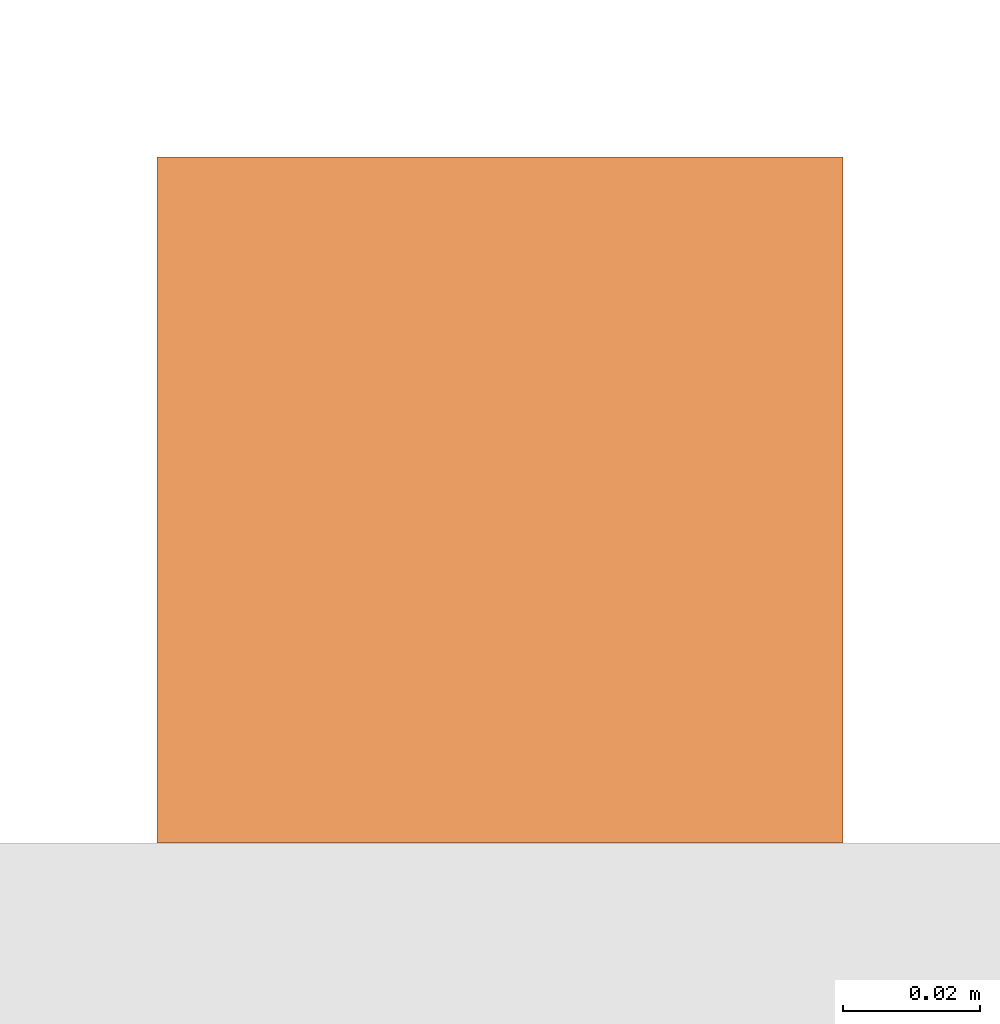
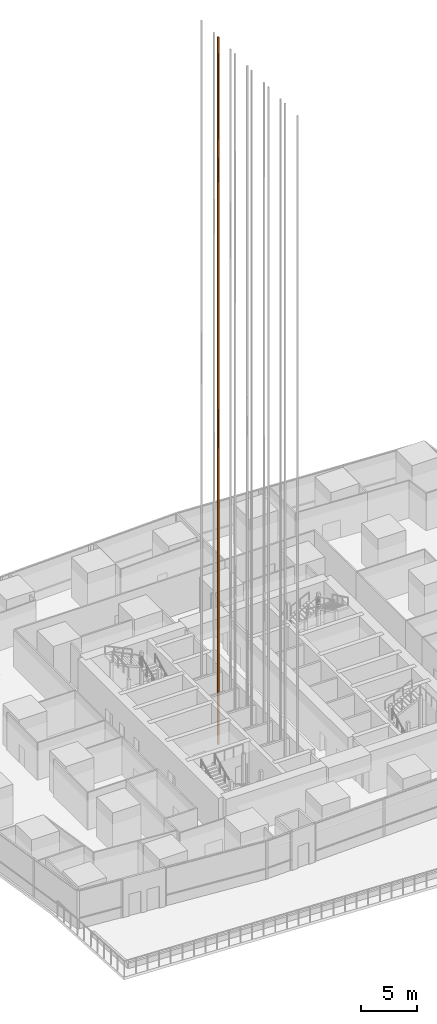
# One storey, part 42 of 44: 1 proxy.
"""IFC4 building model written with IfcOpenShell, lengths in metres."""

from ifc_helpers import new_model, si_unit, direction, frame, origin, origin_2d, place, context, subcontext, project, spatial, rectangle, extrude, material, type_object, element, save


model = new_model("IFC4")

# Units and contexts
model_context = context("Model", 3, precision=1e-05, world=origin(), true_north=direction((0.0, 1.0)))
body_context = subcontext(model_context, "Body", "Model", "MODEL_VIEW")
ifc_project = project(units=[si_unit("LENGTHUNIT", "METRE"), si_unit("AREAUNIT", "SQUARE_METRE"), si_unit("VOLUMEUNIT", "CUBIC_METRE"), si_unit("PLANEANGLEUNIT", "RADIAN"), si_unit("MASSUNIT", "GRAM", prefix="KILO")], contexts=[model_context])

# Site, building, storey
site_placement = place(None, origin())
site = spatial("IfcSite", under=ifc_project, at=site_placement, CompositionType="ELEMENT")
building_placement = place(site_placement, origin())
building = spatial("IfcBuilding", under=site, at=building_placement, Name="Rekha Terrace Tower", CompositionType="ELEMENT")
storey_placement = place(building_placement, frame((0.0, 0.0, 90.800048828125)))
storey = spatial("IfcBuildingStorey", under=building, at=storey_placement, Name="L22", CompositionType="ELEMENT", Elevation=90.800048828125)

# Proxy
ifc_material = material(Name="Steel guide rail", Category="steel")
building_element_proxy_type = type_object("IfcBuildingElementProxyType", Name="LR1 100 lift guide rail", PredefinedType="ELEMENT", material=ifc_material)
proxy_placement = place(storey_placement, frame((34.5, 38.0, -3.300048828125), z_axis=(0.0, 0.0, 1.0), x_axis=(1.0, 0.0, 0.0)))
element("IfcBuildingElementProxy", 1, at=proxy_placement, inside=storey, type_object=building_element_proxy_type, Name="Lift B5 guide rail 2", PredefinedType="ELEMENT", context=body_context, shape_type="SweptSolid", body=[
    extrude(rectangle(XDim=0.10009765625, YDim=0.10009765625, at=origin_2d()), origin(), (0.0, 0.0, 1.0), 77.39990234375),
])

save(model, "model.ifc")
